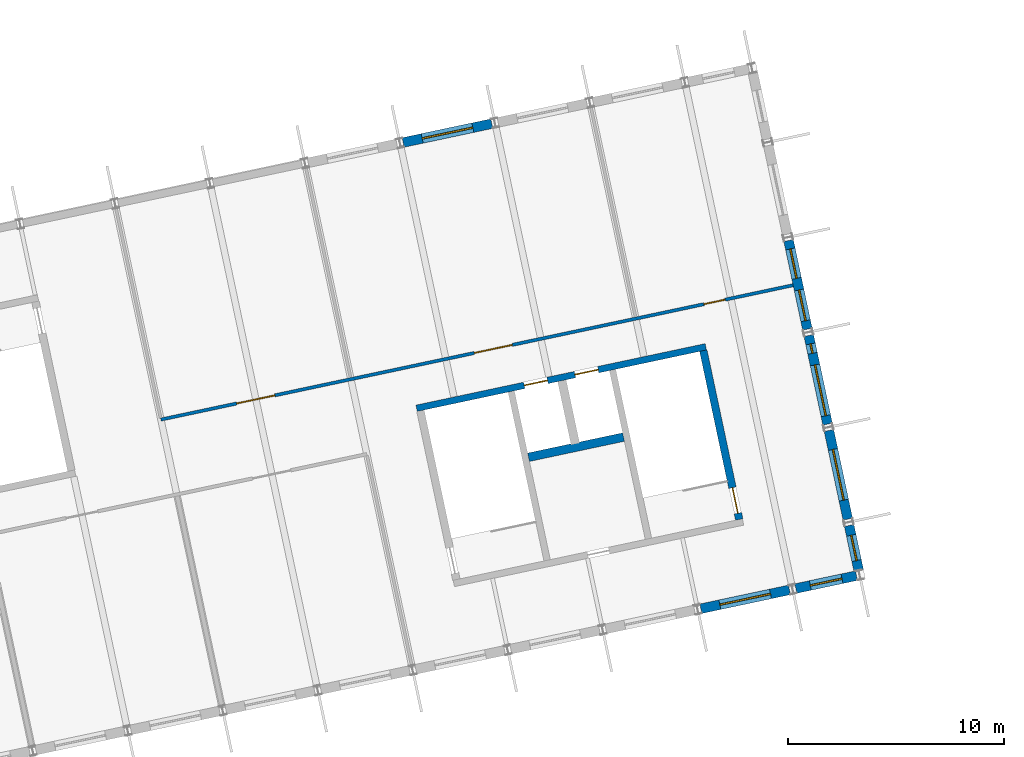
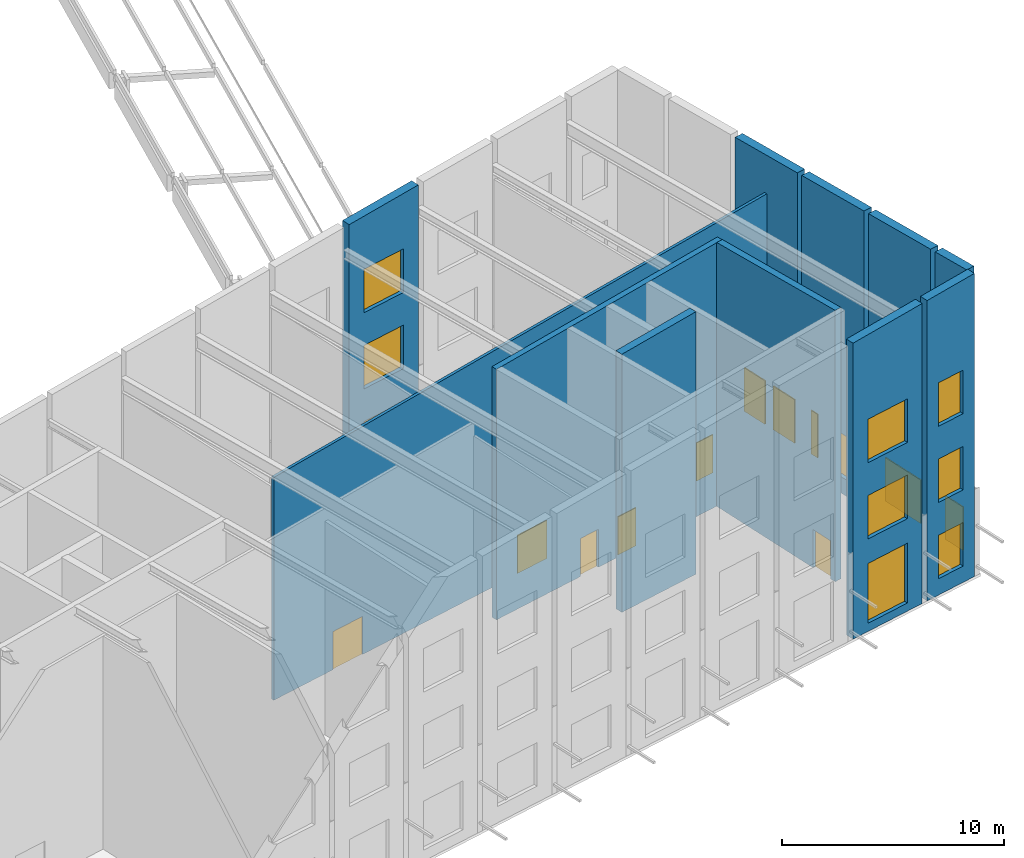
# One storey, part 48 of 69: 15 windows, 11 walls, 6 doors, 21 openings.
"""IFC4 building model written with IfcOpenShell, lengths in metres."""

from ifc_helpers import new_model, si_unit, direction, frame, frame_2d, origin, place, context, subcontext, project, spatial, polyline, rectangle, outline, extrude, material, layer, layer_set, type_object, element, fill, save


model = new_model("IFC4")

# Units and contexts
model_context = context("Model", 3, precision=1e-05, world=origin(), true_north=direction((0.0, 1.0)))
body_context = subcontext(model_context, "Body", "Model", "MODEL_VIEW")
ifc_project = project(units=[si_unit("LENGTHUNIT", "METRE"), si_unit("AREAUNIT", "SQUARE_METRE"), si_unit("VOLUMEUNIT", "CUBIC_METRE"), si_unit("PLANEANGLEUNIT", "RADIAN"), si_unit("MASSUNIT", "GRAM", prefix="KILO")], contexts=[model_context])

# Site, building, storey
site_placement = place(None, origin())
site = spatial("IfcSite", under=ifc_project, at=site_placement, CompositionType="ELEMENT")
building_placement = place(site_placement, origin())
building = spatial("IfcBuilding", under=site, at=building_placement, Name="Okhra Congress Centre", CompositionType="ELEMENT")
storey_placement = place(building_placement, frame((0.0, 0.0, 16.800048828125)))
storey = spatial("IfcBuildingStorey", under=building, at=storey_placement, Name="L03", CompositionType="ELEMENT", Elevation=16.800048828125)

# Wall, openings, windows
ifc_material_1 = material(Name="Insulated metal panel on steel stud (mineral wool, vapour barrier)", Category="steel")
ifc_layer_1 = layer(ifc_material_1, 0.449951171875)
ifc_layer_set_1 = layer_set([ifc_layer_1], Name="Insulated wall 450")
wall_type_1 = type_object("IfcWallType", Name="Insulated wall 450", PredefinedType="SOLIDWALL", material=ifc_layer_set_1)
wall_1_placement = place(storey_placement, frame((210.814208984375, 58.65087890625, 0.0), z_axis=(0.0, 0.0, 1.0), x_axis=(0.978146440129, 0.207917150959, 0.0)))
wall_1 = element("IfcWall", 1, at=wall_1_placement, inside=storey, type_object=wall_type_1, Name="External wall S35 L03", PredefinedType="SOLIDWALL", context=body_context, shape_type="SweptSolid", body=[
    extrude(outline(polyline([(0.0, 0.0), (4.2001953125, 0.0), (4.199951171875, 16.538818359375), (0.0, 16.314208984375), (0.0, 0.0)])), frame((0.0, 0.22509765625, 0.0), z_axis=(0.0, -1.0, 0.0), x_axis=(1.0, 0.0, 0.0)), (0.0, 0.0, 1.0), 0.449951171875),
])
opening_1_placement = place(wall_1_placement, frame((0.89990234375, 0.0, 0.449951171875)))
opening_1 = element("IfcOpeningElement", 2, at=opening_1_placement, cuts=wall_1, Name="Opening WN21", PredefinedType="OPENING", context=body_context, shape_type="SweptSolid", body=[
    extrude(rectangle(XDim=2.39990234375, YDim=3.300048828125, at=frame_2d((1.199951171875, 1.64990234375))), frame((0.0, 0.23486328125, 0.0), z_axis=(0.0, -1.0, 0.0), x_axis=(1.0, 0.0, 0.0)), (0.0, 0.0, 1.0), 0.469970703125),
])
opening_2_placement = place(wall_1_placement, frame((0.89990234375, 0.0, 5.10009765625)))
opening_2 = element("IfcOpeningElement", 3, at=opening_2_placement, cuts=wall_1, Name="Opening WN22", PredefinedType="OPENING", context=body_context, shape_type="SweptSolid", body=[
    extrude(rectangle(XDim=2.39990234375, YDim=2.39990234375, at=frame_2d((1.199951171875, 1.199951171875))), frame((0.0, 0.23486328125, 0.0), z_axis=(0.0, -1.0, 0.0), x_axis=(1.0, 0.0, 0.0)), (0.0, 0.0, 1.0), 0.469970703125),
])
opening_3_placement = place(wall_1_placement, frame((0.89990234375, 0.0, 9.300048828125)))
opening_3 = element("IfcOpeningElement", 4, at=opening_3_placement, cuts=wall_1, Name="Opening WN22", PredefinedType="OPENING", context=body_context, shape_type="SweptSolid", body=[
    extrude(rectangle(XDim=2.39990234375, YDim=2.39990234375, at=frame_2d((1.199951171875, 1.199951171875))), frame((0.0, 0.23486328125, 0.0), z_axis=(0.0, -1.0, 0.0), x_axis=(1.0, 0.0, 0.0)), (0.0, 0.0, 1.0), 0.469970703125),
])
ifc_material_2 = material(Name="Thermally broken aluminium frame, triple glazing", Category="aluminium")
window_type_1 = type_object("IfcWindowType", Name="Fixed window 2400x2400", PartitioningType="SINGLE_PANEL", PredefinedType="WINDOW", material=ifc_material_2)
window_1_placement = place(opening_2_placement, origin())
window_1 = element("IfcWindow", 5, at=window_1_placement, inside=storey, type_object=window_type_1, Name="BX.WIN.L03.71", OverallHeight=2.39990234375, OverallWidth=2.39990234375, PartitioningType="SINGLE_PANEL", PredefinedType="WINDOW", context=body_context, shape_type="SweptSolid", body=[
    extrude(rectangle(XDim=2.39990234375, YDim=2.39990234375, at=frame_2d((1.199951171875, 1.199951171875))), frame((0.0, 0.030029296875, 0.0), z_axis=(0.0, -1.0, 0.0), x_axis=(1.0, 0.0, 0.0)), (0.0, 0.0, 1.0), 0.06005859375),
])
fill(opening_2, window_1)
window_2_placement = place(opening_3_placement, origin())
window_2 = element("IfcWindow", 6, at=window_2_placement, inside=storey, type_object=window_type_1, Name="BX.WIN.L03.72", OverallHeight=2.39990234375, OverallWidth=2.39990234375, PartitioningType="SINGLE_PANEL", PredefinedType="WINDOW", context=body_context, shape_type="SweptSolid", body=[
    extrude(rectangle(XDim=2.39990234375, YDim=2.39990234375, at=frame_2d((1.199951171875, 1.199951171875))), frame((0.0, 0.030029296875, 0.0), z_axis=(0.0, -1.0, 0.0), x_axis=(1.0, 0.0, 0.0)), (0.0, 0.0, 1.0), 0.06005859375),
])
fill(opening_3, window_2)
window_type_2 = type_object("IfcWindowType", Name="Two-light window 2400x3300", PartitioningType="DOUBLE_PANEL_VERTICAL", PredefinedType="WINDOW", material=ifc_material_2)
window_3_placement = place(opening_1_placement, origin())
window_3 = element("IfcWindow", 7, at=window_3_placement, inside=storey, type_object=window_type_2, Name="BX.WIN.L03.70", OverallHeight=3.300048828125, OverallWidth=2.39990234375, PartitioningType="DOUBLE_PANEL_VERTICAL", PredefinedType="WINDOW", context=body_context, shape_type="SweptSolid", body=[
    extrude(rectangle(XDim=2.39990234375, YDim=3.300048828125, at=frame_2d((1.199951171875, 1.64990234375))), frame((0.0, 0.030029296875, 0.0), z_axis=(0.0, -1.0, 0.0), x_axis=(1.0, 0.0, 0.0)), (0.0, 0.0, 1.0), 0.06005859375),
])
fill(opening_1, window_3)

wall_2_placement = place(storey_placement, frame((215.216064453125, 59.58642578125, 0.0), z_axis=(0.0, 0.0, 1.0), x_axis=(0.978134239598, 0.207974540092, 0.0)))
wall_2 = element("IfcWall", 8, at=wall_2_placement, inside=storey, type_object=wall_type_1, Name="External wall S36 L03", PredefinedType="SOLIDWALL", context=body_context, shape_type="SweptSolid", body=[
    extrude(outline(polyline([(0.0, 0.0), (2.874755859375, 0.0), (2.875, 16.708740234375), (0.0, 16.554931640625), (0.0, 0.0)])), frame((0.0, 0.22509765625, 0.0), z_axis=(0.0, -1.0, 0.0), x_axis=(1.0, 0.0, 0.0)), (0.0, 0.0, 1.0), 0.449951171875),
])
opening_4_placement = place(wall_2_placement, frame((0.6875, 0.0, 0.89990234375)))
opening_4 = element("IfcOpeningElement", 9, at=opening_4_placement, cuts=wall_2, Name="Opening WN20", PredefinedType="OPENING", context=body_context, shape_type="SweptSolid", body=[
    extrude(rectangle(XDim=1.5, YDim=2.39990234375, at=frame_2d((0.75, 1.199951171875))), frame((0.0, 0.23486328125, 0.0), z_axis=(0.0, -1.0, 0.0), x_axis=(1.0, 0.0, 0.0)), (0.0, 0.0, 1.0), 0.469970703125),
])
opening_5_placement = place(wall_2_placement, frame((0.6875, 0.0, 5.10009765625)))
opening_5 = element("IfcOpeningElement", 10, at=opening_5_placement, cuts=wall_2, Name="Opening WN20", PredefinedType="OPENING", context=body_context, shape_type="SweptSolid", body=[
    extrude(rectangle(XDim=1.5, YDim=2.39990234375, at=frame_2d((0.75, 1.199951171875))), frame((0.0, 0.23486328125, 0.0), z_axis=(0.0, -1.0, 0.0), x_axis=(1.0, 0.0, 0.0)), (0.0, 0.0, 1.0), 0.469970703125),
])
opening_6_placement = place(wall_2_placement, frame((0.6875, 0.0, 9.300048828125)))
opening_6 = element("IfcOpeningElement", 11, at=opening_6_placement, cuts=wall_2, Name="Opening WN20", PredefinedType="OPENING", context=body_context, shape_type="SweptSolid", body=[
    extrude(rectangle(XDim=1.5, YDim=2.39990234375, at=frame_2d((0.75, 1.199951171875))), frame((0.0, 0.23486328125, 0.0), z_axis=(0.0, -1.0, 0.0), x_axis=(1.0, 0.0, 0.0)), (0.0, 0.0, 1.0), 0.469970703125),
])
window_type_3 = type_object("IfcWindowType", Name="Fixed window 1500x2400", PartitioningType="SINGLE_PANEL", PredefinedType="WINDOW", material=ifc_material_2)
window_4_placement = place(opening_4_placement, origin())
window_4 = element("IfcWindow", 12, at=window_4_placement, inside=storey, type_object=window_type_3, Name="BX.WIN.L03.73", OverallHeight=2.39990234375, OverallWidth=1.5, PartitioningType="SINGLE_PANEL", PredefinedType="WINDOW", context=body_context, shape_type="SweptSolid", body=[
    extrude(rectangle(XDim=1.5, YDim=2.39990234375, at=frame_2d((0.75, 1.199951171875))), frame((0.0, 0.030029296875, 0.0), z_axis=(0.0, -1.0, 0.0), x_axis=(1.0, 0.0, 0.0)), (0.0, 0.0, 1.0), 0.06005859375),
])
fill(opening_4, window_4)
window_5_placement = place(opening_5_placement, origin())
window_5 = element("IfcWindow", 13, at=window_5_placement, inside=storey, type_object=window_type_3, Name="BX.WIN.L03.74", OverallHeight=2.39990234375, OverallWidth=1.5, PartitioningType="SINGLE_PANEL", PredefinedType="WINDOW", context=body_context, shape_type="SweptSolid", body=[
    extrude(rectangle(XDim=1.5, YDim=2.39990234375, at=frame_2d((0.75, 1.199951171875))), frame((0.0, 0.030029296875, 0.0), z_axis=(0.0, -1.0, 0.0), x_axis=(1.0, 0.0, 0.0)), (0.0, 0.0, 1.0), 0.06005859375),
])
fill(opening_5, window_5)
window_6_placement = place(opening_6_placement, origin())
window_6 = element("IfcWindow", 14, at=window_6_placement, inside=storey, type_object=window_type_3, Name="BX.WIN.L03.75", OverallHeight=2.39990234375, OverallWidth=1.5, PartitioningType="SINGLE_PANEL", PredefinedType="WINDOW", context=body_context, shape_type="SweptSolid", body=[
    extrude(rectangle(XDim=1.5, YDim=2.39990234375, at=frame_2d((0.75, 1.199951171875))), frame((0.0, 0.030029296875, 0.0), z_axis=(0.0, -1.0, 0.0), x_axis=(1.0, 0.0, 0.0)), (0.0, 0.0, 1.0), 0.06005859375),
])
fill(opening_6, window_6)

wall_3_placement = place(storey_placement, frame((197.02099609375, 80.25537109375, 0.0), z_axis=(0.0, 0.0, 1.0), x_axis=(0.97815826, 0.207861536591, 0.0)))
wall_3 = element("IfcWall", 15, at=wall_3_placement, inside=storey, type_object=wall_type_1, Name="External wall N33 L03", PredefinedType="SOLIDWALL", context=body_context, shape_type="SweptSolid", body=[
    extrude(outline(polyline([(0.0, 0.0), (4.2001953125, 0.0), (4.199951171875, 14.799560546875), (0.0, 14.574951171875), (0.0, 0.0)])), frame((0.0, 0.22509765625, 0.0), z_axis=(0.0, -1.0, 0.0), x_axis=(1.0, 0.0, 0.0)), (0.0, 0.0, 1.0), 0.449951171875),
])
opening_7_placement = place(wall_3_placement, frame((0.89990234375, 0.0, 0.89990234375)))
opening_7 = element("IfcOpeningElement", 16, at=opening_7_placement, cuts=wall_3, Name="Opening WN22", PredefinedType="OPENING", context=body_context, shape_type="SweptSolid", body=[
    extrude(rectangle(XDim=2.39990234375, YDim=2.39990234375, at=frame_2d((1.199951171875, 1.199951171875))), frame((0.0, 0.23486328125, 0.0), z_axis=(0.0, -1.0, 0.0), x_axis=(1.0, 0.0, 0.0)), (0.0, 0.0, 1.0), 0.469970703125),
])
opening_8_placement = place(wall_3_placement, frame((0.89990234375, 0.0, 5.10009765625)))
opening_8 = element("IfcOpeningElement", 17, at=opening_8_placement, cuts=wall_3, Name="Opening WN22", PredefinedType="OPENING", context=body_context, shape_type="SweptSolid", body=[
    extrude(rectangle(XDim=2.39990234375, YDim=2.39990234375, at=frame_2d((1.199951171875, 1.199951171875))), frame((0.0, 0.23486328125, 0.0), z_axis=(0.0, -1.0, 0.0), x_axis=(1.0, 0.0, 0.0)), (0.0, 0.0, 1.0), 0.469970703125),
])
opening_9_placement = place(wall_3_placement, frame((0.89990234375, 0.0, 9.300048828125)))
opening_9 = element("IfcOpeningElement", 18, at=opening_9_placement, cuts=wall_3, Name="Opening WN22", PredefinedType="OPENING", context=body_context, shape_type="SweptSolid", body=[
    extrude(rectangle(XDim=2.39990234375, YDim=2.39990234375, at=frame_2d((1.199951171875, 1.199951171875))), frame((0.0, 0.23486328125, 0.0), z_axis=(0.0, -1.0, 0.0), x_axis=(1.0, 0.0, 0.0)), (0.0, 0.0, 1.0), 0.469970703125),
])
window_7_placement = place(opening_7_placement, origin())
window_7 = element("IfcWindow", 19, at=window_7_placement, inside=storey, type_object=window_type_1, Name="BX.WIN.L03.110", OverallHeight=2.39990234375, OverallWidth=2.39990234375, PartitioningType="SINGLE_PANEL", PredefinedType="WINDOW", context=body_context, shape_type="SweptSolid", body=[
    extrude(rectangle(XDim=2.39990234375, YDim=2.39990234375, at=frame_2d((1.199951171875, 1.199951171875))), frame((0.0, 0.030029296875, 0.0), z_axis=(0.0, -1.0, 0.0), x_axis=(1.0, 0.0, 0.0)), (0.0, 0.0, 1.0), 0.06005859375),
])
fill(opening_7, window_7)
window_8_placement = place(opening_8_placement, origin())
window_8 = element("IfcWindow", 20, at=window_8_placement, inside=storey, type_object=window_type_1, Name="BX.WIN.L03.111", OverallHeight=2.39990234375, OverallWidth=2.39990234375, PartitioningType="SINGLE_PANEL", PredefinedType="WINDOW", context=body_context, shape_type="SweptSolid", body=[
    extrude(rectangle(XDim=2.39990234375, YDim=2.39990234375, at=frame_2d((1.199951171875, 1.199951171875))), frame((0.0, 0.030029296875, 0.0), z_axis=(0.0, -1.0, 0.0), x_axis=(1.0, 0.0, 0.0)), (0.0, 0.0, 1.0), 0.06005859375),
])
fill(opening_8, window_8)
window_9_placement = place(opening_9_placement, origin())
window_9 = element("IfcWindow", 21, at=window_9_placement, inside=storey, type_object=window_type_1, Name="BX.WIN.L03.112", OverallHeight=2.39990234375, OverallWidth=2.39990234375, PartitioningType="SINGLE_PANEL", PredefinedType="WINDOW", context=body_context, shape_type="SweptSolid", body=[
    extrude(rectangle(XDim=2.39990234375, YDim=2.39990234375, at=frame_2d((1.199951171875, 1.199951171875))), frame((0.0, 0.030029296875, 0.0), z_axis=(0.0, -1.0, 0.0), x_axis=(1.0, 0.0, 0.0)), (0.0, 0.0, 1.0), 0.06005859375),
])
fill(opening_9, window_9)

# Wall, opening, window
wall_4_placement = place(storey_placement, frame((218.129150390625, 60.4306640625, 0.0), z_axis=(0.0, 0.0, 1.0), x_axis=(-0.207943944947, 0.978140744351, 0.0)))
wall_4 = element("IfcWall", 22, at=wall_4_placement, inside=storey, type_object=wall_type_1, Name="External wall E1 L03", PredefinedType="SOLIDWALL", context=body_context, shape_type="SweptSolid", body=[
    extrude(outline(polyline([(0.0, 0.0), (2.125, 0.0), (2.125, 16.593994140625), (0.0, 16.705322265625), (0.0, 0.0)])), frame((0.0, 0.22509765625, 0.0), z_axis=(0.0, -1.0, 0.0), x_axis=(1.0, 0.0, 0.0)), (0.0, 0.0, 1.0), 0.449951171875),
])
opening_10_placement = place(wall_4_placement, frame((0.46240234375, 0.0, 0.89990234375)))
opening_10 = element("IfcOpeningElement", 23, at=opening_10_placement, cuts=wall_4, Name="Opening WN25", PredefinedType="OPENING", context=body_context, shape_type="SweptSolid", body=[
    extrude(rectangle(XDim=1.199951171875, YDim=2.39990234375, at=frame_2d((0.60009765625, 1.199951171875))), frame((0.0, 0.23486328125, 0.0), z_axis=(0.0, -1.0, 0.0), x_axis=(1.0, 0.0, 0.0)), (0.0, 0.0, 1.0), 0.469970703125),
])
window_type_4 = type_object("IfcWindowType", Name="Fixed window 1200x2400", PartitioningType="SINGLE_PANEL", PredefinedType="WINDOW", material=ifc_material_2)
window_10_placement = place(opening_10_placement, origin())
window_10 = element("IfcWindow", 24, at=window_10_placement, inside=storey, type_object=window_type_4, Name="BX.WIN.L03.130", OverallHeight=2.39990234375, OverallWidth=1.199951171875, PartitioningType="SINGLE_PANEL", PredefinedType="WINDOW", context=body_context, shape_type="SweptSolid", body=[
    extrude(rectangle(XDim=1.199951171875, YDim=2.39990234375, at=frame_2d((0.60009765625, 1.199951171875))), frame((0.0, 0.030029296875, 0.0), z_axis=(0.0, -1.0, 0.0), x_axis=(1.0, 0.0, 0.0)), (0.0, 0.0, 1.0), 0.06005859375),
])
fill(opening_10, window_10)

wall_5_placement = place(storey_placement, frame((217.625, 62.802734375, 0.0), z_axis=(0.0, 0.0, 1.0), x_axis=(-0.207928972925, 0.978143927149, 0.0)))
wall_5 = element("IfcWall", 25, at=wall_5_placement, inside=storey, type_object=wall_type_1, Name="External wall E2 L03", PredefinedType="SOLIDWALL", context=body_context, shape_type="SweptSolid", body=[
    extrude(outline(polyline([(0.0, 0.0), (4.199951171875, 0.0), (4.199951171875, 16.358154296875), (0.0, 16.578125), (0.0, 0.0)])), frame((0.0, 0.22509765625, 0.0), z_axis=(0.0, -1.0, 0.0), x_axis=(1.0, 0.0, 0.0)), (0.0, 0.0, 1.0), 0.449951171875),
])
opening_11_placement = place(wall_5_placement, frame((0.89990234375, 0.0, 0.89990234375)))
opening_11 = element("IfcOpeningElement", 26, at=opening_11_placement, cuts=wall_5, Name="Opening WN22", PredefinedType="OPENING", context=body_context, shape_type="SweptSolid", body=[
    extrude(rectangle(XDim=2.39990234375, YDim=2.39990234375, at=frame_2d((1.199951171875, 1.199951171875))), frame((0.0, 0.23486328125, 0.0), z_axis=(0.0, -1.0, 0.0), x_axis=(1.0, 0.0, 0.0)), (0.0, 0.0, 1.0), 0.469970703125),
])
window_11_placement = place(opening_11_placement, origin())
window_11 = element("IfcWindow", 27, at=window_11_placement, inside=storey, type_object=window_type_1, Name="BX.WIN.L03.131", OverallHeight=2.39990234375, OverallWidth=2.39990234375, PartitioningType="SINGLE_PANEL", PredefinedType="WINDOW", context=body_context, shape_type="SweptSolid", body=[
    extrude(rectangle(XDim=2.39990234375, YDim=2.39990234375, at=frame_2d((1.199951171875, 1.199951171875))), frame((0.0, 0.030029296875, 0.0), z_axis=(0.0, -1.0, 0.0), x_axis=(1.0, 0.0, 0.0)), (0.0, 0.0, 1.0), 0.06005859375),
])
fill(opening_11, window_11)

# Wall, openings, windows
wall_6_placement = place(storey_placement, frame((216.689208984375, 67.204345703125, 0.0), z_axis=(0.0, 0.0, 1.0), x_axis=(-0.207873355681, 0.978155748334, 0.0)))
wall_6 = element("IfcWall", 28, at=wall_6_placement, inside=storey, type_object=wall_type_1, Name="External wall E3 L03", PredefinedType="SOLIDWALL", context=body_context, shape_type="SweptSolid", body=[
    extrude(outline(polyline([(0.0, 0.0), (4.199951171875, 0.0), (4.199951171875, 16.122314453125), (0.0, 16.34228515625), (0.0, 0.0)])), frame((0.0, 0.22509765625, 0.0), z_axis=(0.0, -1.0, 0.0), x_axis=(1.0, 0.0, 0.0)), (0.0, 0.0, 1.0), 0.449951171875),
])
opening_12_placement = place(wall_6_placement, frame((0.39990234375, 0.0, 0.89990234375)))
opening_12 = element("IfcOpeningElement", 29, at=opening_12_placement, cuts=wall_6, Name="Opening WN26", PredefinedType="OPENING", context=body_context, shape_type="SweptSolid", body=[
    extrude(rectangle(XDim=2.405029296875, YDim=2.39990234375, at=frame_2d((1.20263671875, 1.199951171875))), frame((0.0, 0.23486328125, 0.0), z_axis=(0.0, -1.0, 0.0), x_axis=(1.0, 0.0, 0.0)), (0.0, 0.0, 1.0), 0.469970703125),
])
opening_13_placement = place(wall_6_placement, frame((3.35498046875, 0.0, 0.89990234375)))
opening_13 = element("IfcOpeningElement", 30, at=opening_13_placement, cuts=wall_6, Name="Opening WN27", PredefinedType="OPENING", context=body_context, shape_type="SweptSolid", body=[
    extrude(rectangle(XDim=0.445068359375, YDim=2.39990234375, at=frame_2d((0.22265625, 1.199951171875))), frame((0.0, 0.23486328125, 0.0), z_axis=(0.0, -1.0, 0.0), x_axis=(1.0, 0.0, 0.0)), (0.0, 0.0, 1.0), 0.469970703125),
])
window_type_5 = type_object("IfcWindowType", Name="Fixed window 2405x2400", PartitioningType="SINGLE_PANEL", PredefinedType="WINDOW", material=ifc_material_2)
window_12_placement = place(opening_12_placement, origin())
window_12 = element("IfcWindow", 31, at=window_12_placement, inside=storey, type_object=window_type_5, Name="BX.WIN.L03.132", OverallHeight=2.39990234375, OverallWidth=2.405029296875, PartitioningType="SINGLE_PANEL", PredefinedType="WINDOW", context=body_context, shape_type="SweptSolid", body=[
    extrude(rectangle(XDim=2.405029296875, YDim=2.39990234375, at=frame_2d((1.20263671875, 1.199951171875))), frame((0.0, 0.030029296875, 0.0), z_axis=(0.0, -1.0, 0.0), x_axis=(1.0, 0.0, 0.0)), (0.0, 0.0, 1.0), 0.06005859375),
])
fill(opening_12, window_12)
window_type_6 = type_object("IfcWindowType", Name="Fixed window 445x2400", PartitioningType="SINGLE_PANEL", PredefinedType="WINDOW", material=ifc_material_2)
window_13_placement = place(opening_13_placement, origin())
window_13 = element("IfcWindow", 32, at=window_13_placement, inside=storey, type_object=window_type_6, Name="BX.WIN.L03.133", OverallHeight=2.39990234375, OverallWidth=0.445068359375, PartitioningType="SINGLE_PANEL", PredefinedType="WINDOW", context=body_context, shape_type="SweptSolid", body=[
    extrude(rectangle(XDim=0.445068359375, YDim=2.39990234375, at=frame_2d((0.22265625, 1.199951171875))), frame((0.0, 0.030029296875, 0.0), z_axis=(0.0, -1.0, 0.0), x_axis=(1.0, 0.0, 0.0)), (0.0, 0.0, 1.0), 0.06005859375),
])
fill(opening_13, window_13)

wall_7_placement = place(storey_placement, frame((215.753662109375, 71.60595703125, 0.0), z_axis=(0.0, 0.0, 1.0), x_axis=(-0.207873355681, 0.978155748334, 0.0)))
wall_7 = element("IfcWall", 33, at=wall_7_placement, inside=storey, type_object=wall_type_1, Name="External wall E4 L03", PredefinedType="SOLIDWALL", context=body_context, shape_type="SweptSolid", body=[
    extrude(outline(polyline([(0.0, 0.0), (4.199951171875, 0.0), (4.199951171875, 15.886474609375), (0.0, 16.1064453125), (0.0, 0.0)])), frame((0.0, 0.22509765625, 0.0), z_axis=(0.0, -1.0, 0.0), x_axis=(1.0, 0.0, 0.0)), (0.0, 0.0, 1.0), 0.449951171875),
])
opening_14_placement = place(wall_7_placement, frame((0.39990234375, 0.0, 0.89990234375)))
opening_14 = element("IfcOpeningElement", 34, at=opening_14_placement, cuts=wall_7, Name="Opening WN28", PredefinedType="OPENING", context=body_context, shape_type="SweptSolid", body=[
    extrude(rectangle(XDim=1.455078125, YDim=2.39990234375, at=frame_2d((0.7275390625, 1.199951171875))), frame((0.0, 0.23486328125, 0.0), z_axis=(0.0, -1.0, 0.0), x_axis=(1.0, 0.0, 0.0)), (0.0, 0.0, 1.0), 0.469970703125),
])
opening_15_placement = place(wall_7_placement, frame((2.405029296875, 0.0, 0.89990234375)))
opening_15 = element("IfcOpeningElement", 35, at=opening_15_placement, cuts=wall_7, Name="Opening WN29", PredefinedType="OPENING", context=body_context, shape_type="SweptSolid", body=[
    extrude(rectangle(XDim=1.39501953125, YDim=2.39990234375, at=frame_2d((0.697509765625, 1.199951171875))), frame((0.0, 0.23486328125, 0.0), z_axis=(0.0, -1.0, 0.0), x_axis=(1.0, 0.0, 0.0)), (0.0, 0.0, 1.0), 0.469970703125),
])
window_type_7 = type_object("IfcWindowType", Name="Fixed window 1395x2400", PartitioningType="SINGLE_PANEL", PredefinedType="WINDOW", material=ifc_material_2)
window_14_placement = place(opening_15_placement, origin())
window_14 = element("IfcWindow", 36, at=window_14_placement, inside=storey, type_object=window_type_7, Name="BX.WIN.L03.135", OverallHeight=2.39990234375, OverallWidth=1.39501953125, PartitioningType="SINGLE_PANEL", PredefinedType="WINDOW", context=body_context, shape_type="SweptSolid", body=[
    extrude(rectangle(XDim=1.39501953125, YDim=2.39990234375, at=frame_2d((0.697509765625, 1.199951171875))), frame((0.0, 0.030029296875, 0.0), z_axis=(0.0, -1.0, 0.0), x_axis=(1.0, 0.0, 0.0)), (0.0, 0.0, 1.0), 0.06005859375),
])
fill(opening_15, window_14)
window_type_8 = type_object("IfcWindowType", Name="Fixed window 1455x2400", PartitioningType="SINGLE_PANEL", PredefinedType="WINDOW", material=ifc_material_2)
window_15_placement = place(opening_14_placement, origin())
window_15 = element("IfcWindow", 37, at=window_15_placement, inside=storey, type_object=window_type_8, Name="BX.WIN.L03.134", OverallHeight=2.39990234375, OverallWidth=1.455078125, PartitioningType="SINGLE_PANEL", PredefinedType="WINDOW", context=body_context, shape_type="SweptSolid", body=[
    extrude(rectangle(XDim=1.455078125, YDim=2.39990234375, at=frame_2d((0.7275390625, 1.199951171875))), frame((0.0, 0.030029296875, 0.0), z_axis=(0.0, -1.0, 0.0), x_axis=(1.0, 0.0, 0.0)), (0.0, 0.0, 1.0), 0.06005859375),
])
fill(opening_14, window_15)

# Wall, openings, doors
ifc_material_3 = material(Name="Gypsum board on steel studs", Category="steel")
ifc_layer_2 = layer(ifc_material_3, 0.14990234375)
ifc_layer_set_2 = layer_set([ifc_layer_2], Name="Partition 150 EI 15")
wall_type_2 = type_object("IfcWallType", Name="Partition 150 EI 15", PredefinedType="PARTITIONING", material=ifc_layer_set_2)
wall_8_placement = place(storey_placement, frame((185.795166015625, 67.415771484375, 0.0), z_axis=(0.0, 0.0, 1.0), x_axis=(0.978148801969, 0.20790603937, 0.0)))
wall_8 = element("IfcWall", 38, at=wall_8_placement, inside=storey, type_object=wall_type_2, Name="Corridor wall N3 L03", PredefinedType="PARTITIONING", context=body_context, shape_type="SweptSolid", body=[
    extrude(outline(polyline([(0.0, 0.0), (29.9501953125, 0.0), (29.949951171875, 13.8828125), (0.0, 12.2802734375), (0.0, 0.0)])), frame((0.0, 0.074951171875, 0.0), z_axis=(0.0, -1.0, 0.0), x_axis=(1.0, 0.0, 0.0)), (0.0, 0.0, 1.0), 0.14990234375),
])
opening_16_placement = place(wall_8_placement, frame((3.60009765625, 0.0, 0.0)))
opening_16 = element("IfcOpeningElement", 39, at=opening_16_placement, cuts=wall_8, Name="Opening L03-063", PredefinedType="OPENING", context=body_context, shape_type="SweptSolid", body=[
    extrude(rectangle(XDim=1.800048828125, YDim=2.10009765625, at=frame_2d((0.89990234375, 1.050048828125))), frame((0.0, 0.0849609375, 0.0), z_axis=(0.0, -1.0, 0.0), x_axis=(1.0, 0.0, 0.0)), (0.0, 0.0, 1.0), 0.169921875),
])
opening_17_placement = place(wall_8_placement, frame((14.85009765625, 0.0, 0.0)))
opening_17 = element("IfcOpeningElement", 40, at=opening_17_placement, cuts=wall_8, Name="Opening L03-064", PredefinedType="OPENING", context=body_context, shape_type="SweptSolid", body=[
    extrude(rectangle(XDim=1.800048828125, YDim=2.10009765625, at=frame_2d((0.89990234375, 1.050048828125))), frame((0.0, 0.0849609375, 0.0), z_axis=(0.0, -1.0, 0.0), x_axis=(1.0, 0.0, 0.0)), (0.0, 0.0, 1.0), 0.169921875),
])
opening_18_placement = place(wall_8_placement, frame((25.72509765625, 0.0, 0.0)))
opening_18 = element("IfcOpeningElement", 41, at=opening_18_placement, cuts=wall_8, Name="Opening L03-065", PredefinedType="OPENING", context=body_context, shape_type="SweptSolid", body=[
    extrude(rectangle(XDim=1.0, YDim=2.10009765625, at=frame_2d((0.5, 1.050048828125))), frame((0.0, 0.0849609375, 0.0), z_axis=(0.0, -1.0, 0.0), x_axis=(1.0, 0.0, 0.0)), (0.0, 0.0, 1.0), 0.169921875),
])
ifc_material_4 = material(Name="Timber door leaves in steel frame", Category="steel")
door_type_1 = type_object("IfcDoorType", Name="Double swing door 1800x2100", OperationType="NOTDEFINED", PredefinedType="DOOR", material=ifc_material_4)
door_1_placement = place(opening_16_placement, frame((1.800048828125, 0.0, 0.0), z_axis=(0.0, 0.0, 1.0), x_axis=(-1.0, 0.0, 0.0)))
door_1 = element("IfcDoor", 42, at=door_1_placement, inside=storey, type_object=door_type_1, Name="Door L03-063", OperationType="DOUBLE_DOOR_SINGLE_SWING", OverallHeight=2.10009765625, OverallWidth=1.800048828125, PredefinedType="DOOR", context=body_context, shape_type="SweptSolid", body=[
    extrude(rectangle(XDim=1.800048828125, YDim=2.10009765625, at=frame_2d((0.89990234375, 1.050048828125))), frame((0.0, 0.02490234375, 0.0), z_axis=(0.0, -1.0, 0.0), x_axis=(1.0, 0.0, 0.0)), (0.0, 0.0, 1.0), 0.050048828125),
])
fill(opening_16, door_1)
door_2_placement = place(opening_17_placement, frame((1.800048828125, 0.0, 0.0), z_axis=(0.0, 0.0, 1.0), x_axis=(-1.0, 0.0, 0.0)))
door_2 = element("IfcDoor", 43, at=door_2_placement, inside=storey, type_object=door_type_1, Name="Door L03-064", OperationType="DOUBLE_DOOR_SINGLE_SWING", OverallHeight=2.10009765625, OverallWidth=1.800048828125, PredefinedType="DOOR", context=body_context, shape_type="SweptSolid", body=[
    extrude(rectangle(XDim=1.800048828125, YDim=2.10009765625, at=frame_2d((0.89990234375, 1.050048828125))), frame((0.0, 0.02490234375, 0.0), z_axis=(0.0, -1.0, 0.0), x_axis=(1.0, 0.0, 0.0)), (0.0, 0.0, 1.0), 0.050048828125),
])
fill(opening_17, door_2)
ifc_material_5 = material(Name="Timber door leaf in steel frame", Category="steel")
door_type_2 = type_object("IfcDoorType", Name="Single swing door 1000x2100", OperationType="NOTDEFINED", PredefinedType="DOOR", material=ifc_material_5)
door_3_placement = place(opening_18_placement, origin())
door_3 = element("IfcDoor", 44, at=door_3_placement, inside=storey, type_object=door_type_2, Name="Door L03-065", OperationType="SINGLE_SWING_RIGHT", OverallHeight=2.10009765625, OverallWidth=1.0, PredefinedType="DOOR", context=body_context, shape_type="SweptSolid", body=[
    extrude(rectangle(XDim=1.0, YDim=2.10009765625, at=frame_2d((0.5, 1.050048828125))), frame((0.0, 0.02490234375, 0.0), z_axis=(0.0, -1.0, 0.0), x_axis=(1.0, 0.0, 0.0)), (0.0, 0.0, 1.0), 0.050048828125),
])
fill(opening_18, door_3)

ifc_material_6 = material(Name="Concrete C35/45", Category="concrete")
ifc_layer_3 = layer(ifc_material_6, 0.300048828125)
ifc_layer_set_3 = layer_set([ifc_layer_3], Name="RC core wall 300 REI 120 C35/45")
wall_type_3 = type_object("IfcWallType", Name="RC core wall 300 REI 120 C35/45", PredefinedType="SHEAR", material=ifc_layer_set_3)
wall_9_placement = place(storey_placement, frame((197.64501953125, 67.94091796875, 0.0), z_axis=(0.0, 0.0, 1.0), x_axis=(0.978147662755, 0.20791139903, 0.0)))
wall_9 = element("IfcWall", 45, at=wall_9_placement, inside=storey, type_object=wall_type_3, Name="BX.WALL.L03.K5T", PredefinedType="SHEAR", context=body_context, shape_type="SweptSolid", body=[
    extrude(outline(polyline([(0.0, 0.0), (13.699951171875, 0.0), (13.699951171875, 14.54150390625), (0.0, 13.80859375), (0.0, 0.0)])), frame((0.0, 0.14990234375, 0.0), z_axis=(0.0, -1.0, 0.0), x_axis=(1.0, 0.0, 0.0)), (0.0, 0.0, 1.0), 0.300048828125),
])
opening_19_placement = place(wall_9_placement, frame((5.10009765625, 0.0, 0.0)))
opening_19 = element("IfcOpeningElement", 46, at=opening_19_placement, cuts=wall_9, Name="Opening L03-039", PredefinedType="OPENING", context=body_context, shape_type="SweptSolid", body=[
    extrude(rectangle(XDim=1.10009765625, YDim=2.10009765625, at=frame_2d((0.550048828125, 1.050048828125))), frame((0.0, 0.159912109375, 0.0), z_axis=(0.0, -1.0, 0.0), x_axis=(1.0, 0.0, 0.0)), (0.0, 0.0, 1.0), 0.320068359375),
])
opening_20_placement = place(wall_9_placement, frame((7.5, 0.0, 0.0)))
opening_20 = element("IfcOpeningElement", 47, at=opening_20_placement, cuts=wall_9, Name="Opening L03-040", PredefinedType="OPENING", context=body_context, shape_type="SweptSolid", body=[
    extrude(rectangle(XDim=1.10009765625, YDim=2.10009765625, at=frame_2d((0.550048828125, 1.050048828125))), frame((0.0, 0.159912109375, 0.0), z_axis=(0.0, -1.0, 0.0), x_axis=(1.0, 0.0, 0.0)), (0.0, 0.0, 1.0), 0.320068359375),
])
ifc_material_7 = material(Name="Stainless steel sliding landing door leaves", Category="steel")
door_type_3 = type_object("IfcDoorType", Name="Lift landing door 1100x2100 EI 30", OperationType="DOUBLE_DOOR_SLIDING", PredefinedType="DOOR", material=ifc_material_7)
door_4_placement = place(opening_19_placement, origin())
door_4 = element("IfcDoor", 48, at=door_4_placement, inside=storey, type_object=door_type_3, Name="Door L03-039", OperationType="DOUBLE_DOOR_SLIDING", OverallHeight=2.10009765625, OverallWidth=1.10009765625, PredefinedType="DOOR", context=body_context, shape_type="SweptSolid", body=[
    extrude(rectangle(XDim=1.10009765625, YDim=2.10009765625, at=frame_2d((0.550048828125, 1.050048828125))), frame((0.0, 0.02490234375, 0.0), z_axis=(0.0, -1.0, 0.0), x_axis=(1.0, 0.0, 0.0)), (0.0, 0.0, 1.0), 0.050048828125),
])
fill(opening_19, door_4)
door_5_placement = place(opening_20_placement, origin())
door_5 = element("IfcDoor", 49, at=door_5_placement, inside=storey, type_object=door_type_3, Name="Door L03-040", OperationType="DOUBLE_DOOR_SLIDING", OverallHeight=2.10009765625, OverallWidth=1.10009765625, PredefinedType="DOOR", context=body_context, shape_type="SweptSolid", body=[
    extrude(rectangle(XDim=1.10009765625, YDim=2.10009765625, at=frame_2d((0.550048828125, 1.050048828125))), frame((0.0, 0.02490234375, 0.0), z_axis=(0.0, -1.0, 0.0), x_axis=(1.0, 0.0, 0.0)), (0.0, 0.0, 1.0), 0.050048828125),
])
fill(opening_20, door_5)

# Wall
ifc_layer_4 = layer(ifc_material_6, 0.39990234375)
ifc_layer_set_4 = layer_set([ifc_layer_4], Name="RC core wall 400 REI 120 C35/45")
wall_type_4 = type_object("IfcWallType", Name="RC core wall 400 REI 120 C35/45", PredefinedType="SHEAR", material=ifc_layer_set_4)
wall_10_placement = place(storey_placement, frame((202.83056640625, 65.66943359375, 0.0), z_axis=(0.0, 0.0, 1.0), x_axis=(0.978149611564, 0.20790223038, 0.0)))
element("IfcWall", 50, at=wall_10_placement, inside=storey, type_object=wall_type_4, Name="BX.WALL.L03.K5R", PredefinedType="SHEAR", context=body_context, shape_type="SweptSolid", body=[
    extrude(outline(polyline([(0.0, 0.0), (4.5, 0.0), (4.5, 14.468505859375), (0.0, 14.2275390625), (0.0, 0.0)])), frame((0.0, 0.199951171875, 0.0), z_axis=(0.0, -1.0, 0.0), x_axis=(1.0, 0.0, 0.0)), (0.0, 0.0, 1.0), 0.39990234375),
])

# Wall, opening, door
ifc_material_8 = material(Name="Concrete C30/37", Category="concrete")
ifc_layer_5 = layer(ifc_material_8, 0.35009765625)
ifc_layer_set_5 = layer_set([ifc_layer_5], Name="RC wall 350 REI 120 C30/37")
wall_type_5 = type_object("IfcWallType", Name="RC wall 350 REI 120 C30/37", PredefinedType="SOLIDWALL", material=ifc_layer_set_5)
wall_11_placement = place(storey_placement, frame((212.593505859375, 62.7861328125, 0.0), z_axis=(0.0, 0.0, 1.0), x_axis=(-0.207915693476, 0.978146749934, 0.0)))
wall_11 = element("IfcWall", 51, at=wall_11_placement, inside=storey, type_object=wall_type_5, Name="BX.WALL.L03.K5E", PredefinedType="SOLIDWALL", context=body_context, shape_type="SweptSolid", body=[
    extrude(outline(polyline([(0.0, 0.0), (8.0, 0.0), (8.0, 14.54150390625), (0.0, 14.960693359375), (0.0, 0.0)])), frame((0.0, 0.175048828125, 0.0), z_axis=(0.0, -1.0, 0.0), x_axis=(1.0, 0.0, 0.0)), (0.0, 0.0, 1.0), 0.35009765625),
])
opening_21_placement = place(wall_11_placement, frame((0.300048828125, 0.0, 0.0)))
opening_21 = element("IfcOpeningElement", 52, at=opening_21_placement, cuts=wall_11, Name="Opening L03-042", PredefinedType="OPENING", context=body_context, shape_type="SweptSolid", body=[
    extrude(rectangle(XDim=1.199951171875, YDim=2.10009765625, at=frame_2d((0.60009765625, 1.050048828125))), frame((0.0, 0.18505859375, 0.0), z_axis=(0.0, -1.0, 0.0), x_axis=(1.0, 0.0, 0.0)), (0.0, 0.0, 1.0), 0.3701171875),
])
ifc_material_9 = material(Name="Steel fire door leaf in steel frame, intumescent seals", Category="steel")
door_type_4 = type_object("IfcDoorType", Name="Steel fire door 1200x2100 EI 30", OperationType="NOTDEFINED", PredefinedType="DOOR", material=ifc_material_9)
door_6_placement = place(opening_21_placement, frame((1.199951171875, 0.0, 0.0), z_axis=(0.0, 0.0, 1.0), x_axis=(-1.0, 0.0, 0.0)))
door_6 = element("IfcDoor", 53, at=door_6_placement, inside=storey, type_object=door_type_4, Name="Door L03-042", OperationType="SINGLE_SWING_LEFT", OverallHeight=2.10009765625, OverallWidth=1.199951171875, PredefinedType="DOOR", context=body_context, shape_type="SweptSolid", body=[
    extrude(rectangle(XDim=1.199951171875, YDim=2.10009765625, at=frame_2d((0.60009765625, 1.050048828125))), frame((0.0, 0.02490234375, 0.0), z_axis=(0.0, -1.0, 0.0), x_axis=(1.0, 0.0, 0.0)), (0.0, 0.0, 1.0), 0.050048828125),
])
fill(opening_21, door_6)

save(model, "model.ifc")
